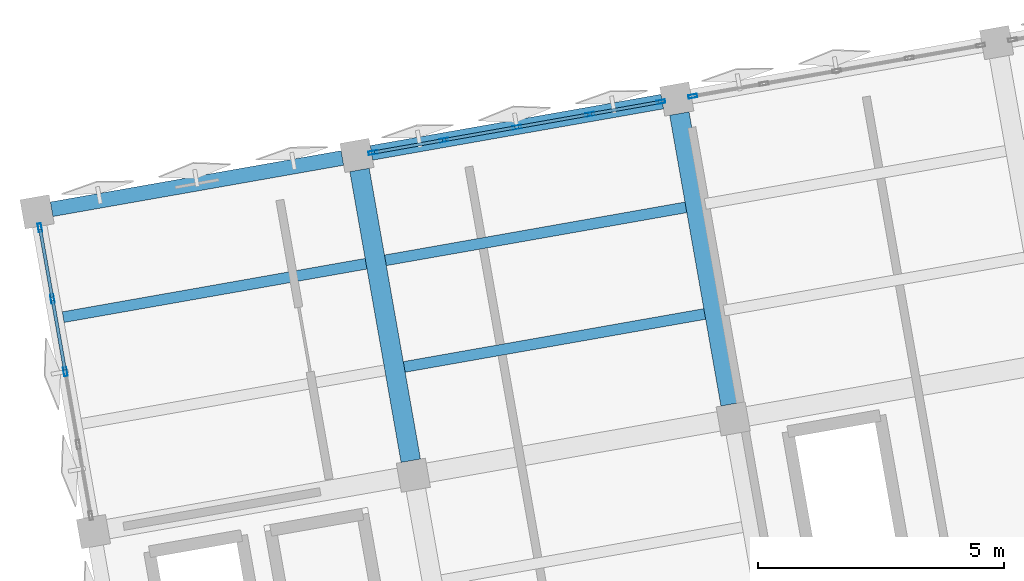
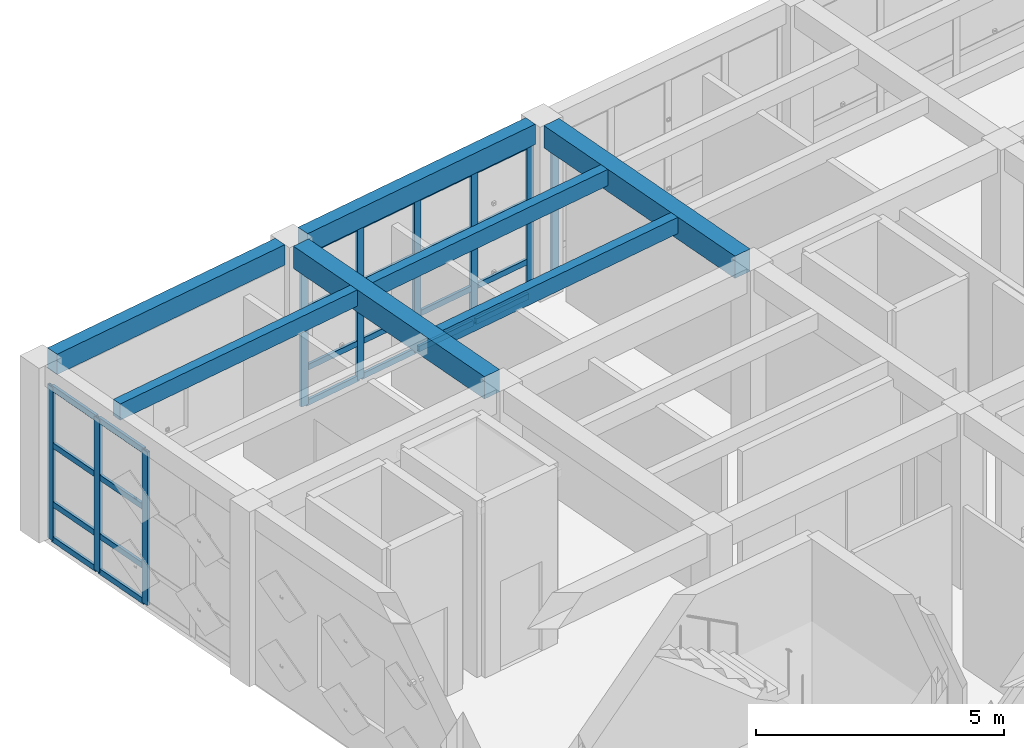
# One storey, part 6 of 29: 33 members, 7 beams, 3 elements without a shape of their own.
"""IFC4 building model written with IfcOpenShell, lengths in metres."""

from ifc_helpers import new_model, si_unit, direction, frame, origin, origin_2d, place, context, subcontext, project, spatial, rectangle, hollow_rectangle, extrude, material, layer, layer_set, material_profile, profile_set, type_object, element, aggregate, save


model = new_model("IFC4")

# Units and contexts
model_context = context("Model", 3, precision=1e-05, world=origin(), true_north=direction((0.0, 1.0)))
body_context = subcontext(model_context, "Body", "Model", "MODEL_VIEW")
ifc_project = project(units=[si_unit("LENGTHUNIT", "METRE"), si_unit("AREAUNIT", "SQUARE_METRE"), si_unit("VOLUMEUNIT", "CUBIC_METRE"), si_unit("PLANEANGLEUNIT", "RADIAN"), si_unit("MASSUNIT", "GRAM", prefix="KILO")], contexts=[model_context])

# Site, building, storey
site_placement = place(None, origin())
site = spatial("IfcSite", under=ifc_project, at=site_placement, CompositionType="ELEMENT")
building_placement = place(site_placement, origin())
building = spatial("IfcBuilding", under=site, at=building_placement, Name="Kharisveld Research Institute", CompositionType="ELEMENT")
storey_placement = place(building_placement, frame((0.0, 0.0, 32.10009765625)))
storey = spatial("IfcBuildingStorey", under=building, at=storey_placement, Name="L07", CompositionType="ELEMENT", Elevation=32.10009765625)

# Beams
ifc_material_1 = material(Name="Concrete C40/50", Category="concrete")
ifc_material_profile_1 = material_profile(ifc_material_1, rectangle(XDim=0.39990234375, YDim=0.550048828125, at=origin_2d()))
ifc_profile_set_1 = profile_set([ifc_material_profile_1], Name="Concrete C40/50")
beam_type_1 = type_object("IfcBeamType", Name="BM_RC_400x550", PredefinedType="BEAM", material=ifc_profile_set_1)
beam_1_placement = place(storey_placement, frame((9.35546875, 49.450927734375, 4.034912109375), z_axis=(-0.173662308598, 0.984805261243, 0.0), x_axis=(-0.984805261243, -0.173662308598, 0.0)))
element("IfcBeam", 1, at=beam_1_placement, inside=storey, type_object=beam_type_1, Name="BM:V1:L07:V1_2", PredefinedType="BEAM", context=body_context, shape_type="SweptSolid", body=[
    extrude(rectangle(XDim=0.39990234375, YDim=0.550048828125, at=origin_2d()), origin(), (0.0, 0.0, 1.0), 6.0),
])
beam_2_placement = place(storey_placement, frame((15.855224609375, 50.59716796875, 4.034912109375), z_axis=(-0.173669267716, 0.984804034035, 0.0), x_axis=(-0.984804034035, -0.173669267716, 0.0)))
element("IfcBeam", 2, at=beam_2_placement, inside=storey, type_object=beam_type_1, Name="BM:V1:L07:V2_2", PredefinedType="BEAM", context=body_context, shape_type="SweptSolid", body=[
    extrude(rectangle(XDim=0.39990234375, YDim=0.550048828125, at=origin_2d()), origin(), (0.0, 0.0, 1.0), 5.999755859375),
])

# Curtain wall, members
ifc_material_2 = material(Name="Thermally Broken Aluminium Curtain Wall", Category="aluminium")
ifc_layer_1 = layer(ifc_material_2, 0.159912109375)
ifc_layer_set_1 = layer_set([ifc_layer_1], Name="CW_SYS_02")
curtain_wall_type_1 = type_object("IfcCurtainWallType", Name="CW_SYS_02", PredefinedType="NOTDEFINED", material=ifc_layer_set_1)
curtain_wall_1_placement = place(storey_placement, origin())
curtain_wall_1 = element("IfcCurtainWall", 3, at=curtain_wall_1_placement, inside=storey, type_object=curtain_wall_type_1, Name="CW:V1:L07:W2", PredefinedType="NOTDEFINED")
ifc_material_3 = material(Name="Anodised Aluminium AW-6063-T6", Category="aluminium")
ifc_material_profile_2 = material_profile(ifc_material_3, hollow_rectangle(XDim=0.070068359375, YDim=0.179931640625, WallThickness=0.00439453125, at=origin_2d()))
ifc_profile_set_2 = profile_set([ifc_material_profile_2], Name="Anodised Aluminium AW-6063-T6")
member_type_1 = type_object("IfcMemberType", Name="CW_MUL_180", PredefinedType="MULLION", material=ifc_profile_set_2)
member_1_placement = place(storey_placement, frame((2.334716796875, 51.25927734375, 0.0), z_axis=(0.0, 0.0, 1.0), x_axis=(-0.98480774719, -0.173648210685, 0.0)))
member_1 = element("IfcMember", 4, at=member_1_placement, type_object=member_type_1, Name="CW-02 mullion 3", PredefinedType="MULLION", context=body_context, shape_type="SweptSolid", body=[
    extrude(hollow_rectangle(XDim=0.070068359375, YDim=0.179931640625, WallThickness=0.00439453125, at=origin_2d()), origin(), (0.0, 0.0, 1.0), 3.77978515625),
])
member_2_placement = place(storey_placement, frame((2.073974609375, 52.739013671875, 0.0), z_axis=(0.0, 0.0, 1.0), x_axis=(-0.98480774719, -0.173648210685, 0.0)))
member_2 = element("IfcMember", 5, at=member_2_placement, type_object=member_type_1, Name="CW-02 mullion 4", PredefinedType="MULLION", context=body_context, shape_type="SweptSolid", body=[
    extrude(hollow_rectangle(XDim=0.070068359375, YDim=0.179931640625, WallThickness=0.00439453125, at=origin_2d()), origin(), (0.0, 0.0, 1.0), 3.77978515625),
])
member_3_placement = place(storey_placement, frame((1.819091796875, 54.184326171875, 0.0), z_axis=(0.0, 0.0, 1.0), x_axis=(-0.98480774719, -0.173648210685, 0.0)))
member_3 = element("IfcMember", 6, at=member_3_placement, type_object=member_type_1, Name="CW-02 mullion 5", PredefinedType="MULLION", context=body_context, shape_type="SweptSolid", body=[
    extrude(hollow_rectangle(XDim=0.070068359375, YDim=0.179931640625, WallThickness=0.00439453125, at=origin_2d()), origin(), (0.0, 0.0, 1.0), 3.77978515625),
])

ifc_material_4 = material(Name="Thermally Broken Aluminium Curtain Wall", Category="aluminium")
ifc_layer_2 = layer(ifc_material_4, 0.159912109375)
ifc_layer_set_2 = layer_set([ifc_layer_2], Name="CW_SYS_03")
curtain_wall_type_2 = type_object("IfcCurtainWallType", Name="CW_SYS_03", PredefinedType="NOTDEFINED", material=ifc_layer_set_2)
curtain_wall_2_placement = place(storey_placement, origin())
curtain_wall_2 = element("IfcCurtainWall", 7, at=curtain_wall_2_placement, inside=storey, type_object=curtain_wall_type_2, Name="CW:V1:L07:N1", PredefinedType="NOTDEFINED")
member_4_placement = place(storey_placement, frame((8.58642578125, 55.712646484375, 0.0), z_axis=(0.0, 0.0, 1.0), x_axis=(-0.173648239132, 0.984807742174, 0.0)))
member_4 = element("IfcMember", 8, at=member_4_placement, type_object=member_type_1, Name="CW-03 mullion 1", PredefinedType="MULLION", context=body_context, shape_type="SweptSolid", body=[
    extrude(hollow_rectangle(XDim=0.070068359375, YDim=0.179931640625, WallThickness=0.00439453125, at=origin_2d()), origin(), (0.0, 0.0, 1.0), 3.77978515625),
])
member_5_placement = place(storey_placement, frame((10.03173828125, 55.96728515625, 0.0), z_axis=(0.0, 0.0, 1.0), x_axis=(-0.173648239132, 0.984807742174, 0.0)))
member_5 = element("IfcMember", 9, at=member_5_placement, type_object=member_type_1, Name="CW-03 mullion 2", PredefinedType="MULLION", context=body_context, shape_type="SweptSolid", body=[
    extrude(hollow_rectangle(XDim=0.070068359375, YDim=0.179931640625, WallThickness=0.00439453125, at=origin_2d()), origin(), (0.0, 0.0, 1.0), 3.77978515625),
])
member_6_placement = place(storey_placement, frame((11.511474609375, 56.228271484375, 0.0), z_axis=(0.0, 0.0, 1.0), x_axis=(-0.173648239132, 0.984807742174, 0.0)))
member_6 = element("IfcMember", 10, at=member_6_placement, type_object=member_type_1, Name="CW-03 mullion 3", PredefinedType="MULLION", context=body_context, shape_type="SweptSolid", body=[
    extrude(hollow_rectangle(XDim=0.070068359375, YDim=0.179931640625, WallThickness=0.00439453125, at=origin_2d()), origin(), (0.0, 0.0, 1.0), 3.77978515625),
])
member_7_placement = place(storey_placement, frame((12.990966796875, 56.4892578125, 0.0), z_axis=(0.0, 0.0, 1.0), x_axis=(-0.173648239132, 0.984807742174, 0.0)))
member_7 = element("IfcMember", 11, at=member_7_placement, type_object=member_type_1, Name="CW-03 mullion 4", PredefinedType="MULLION", context=body_context, shape_type="SweptSolid", body=[
    extrude(hollow_rectangle(XDim=0.070068359375, YDim=0.179931640625, WallThickness=0.00439453125, at=origin_2d()), origin(), (0.0, 0.0, 1.0), 3.77978515625),
])
member_8_placement = place(storey_placement, frame((14.436279296875, 56.744140625, 0.0), z_axis=(0.0, 0.0, 1.0), x_axis=(-0.173648239132, 0.984807742174, 0.0)))
member_8 = element("IfcMember", 12, at=member_8_placement, type_object=member_type_1, Name="CW-03 mullion 5", PredefinedType="MULLION", context=body_context, shape_type="SweptSolid", body=[
    extrude(hollow_rectangle(XDim=0.070068359375, YDim=0.179931640625, WallThickness=0.00439453125, at=origin_2d()), origin(), (0.0, 0.0, 1.0), 3.77978515625),
])

# Curtain wall, member
ifc_material_5 = material(Name="Thermally Broken Aluminium Curtain Wall", Category="aluminium")
ifc_layer_3 = layer(ifc_material_5, 0.159912109375)
ifc_layer_set_3 = layer_set([ifc_layer_3], Name="CW_SYS_04")
curtain_wall_type_3 = type_object("IfcCurtainWallType", Name="CW_SYS_04", PredefinedType="NOTDEFINED", material=ifc_layer_set_3)
curtain_wall_3_placement = place(storey_placement, origin())
curtain_wall_3 = element("IfcCurtainWall", 13, at=curtain_wall_3_placement, inside=storey, type_object=curtain_wall_type_3, Name="CW:V1:L07:N2", PredefinedType="NOTDEFINED")
member_9_placement = place(storey_placement, frame((15.086181640625, 56.858642578125, 0.0), z_axis=(0.0, 0.0, 1.0), x_axis=(-0.173648210685, 0.98480774719, 0.0)))
member_9 = element("IfcMember", 14, at=member_9_placement, type_object=member_type_1, Name="CW-04 mullion 1", PredefinedType="MULLION", context=body_context, shape_type="SweptSolid", body=[
    extrude(hollow_rectangle(XDim=0.070068359375, YDim=0.179931640625, WallThickness=0.00439453125, at=origin_2d()), origin(), (0.0, 0.0, 1.0), 3.77978515625),
])
aggregate(curtain_wall_3, [member_9])

# Member
ifc_material_6 = material(Name="Anodised Aluminium AW-6063-T6", Category="aluminium")
ifc_material_profile_3 = material_profile(ifc_material_6, hollow_rectangle(XDim=0.06494140625, YDim=0.139892578125, WallThickness=0.00390625, at=origin_2d()))
ifc_profile_set_3 = profile_set([ifc_material_profile_3], Name="Anodised Aluminium AW-6063-T6")
member_type_2 = type_object("IfcMemberType", Name="CW_TRN_140", PredefinedType="USERDEFINED", material=ifc_profile_set_3)
member_10_placement = place(storey_placement, frame((2.32861328125, 51.293701171875, 0.032470703125), z_axis=(-0.173483951704, 0.984836696362, 0.0), x_axis=(-0.984836696362, -0.173483951704, 0.0)))
member_10 = element("IfcMember", 15, at=member_10_placement, type_object=member_type_2, Name="CW-02 transom 3.1", ObjectType="TRANSOM", PredefinedType="USERDEFINED", context=body_context, shape_type="SweptSolid", body=[
    extrude(hollow_rectangle(XDim=0.06494140625, YDim=0.139892578125, WallThickness=0.00390625, at=origin_2d()), origin(), (0.0, 0.0, 1.0), 1.4326171875),
])

member_11_placement = place(storey_placement, frame((2.32861328125, 51.293701171875, 0.89990234375), z_axis=(-0.173483951704, 0.984836696362, 0.0), x_axis=(-0.984836696362, -0.173483951704, 0.0)))
member_11 = element("IfcMember", 16, at=member_11_placement, type_object=member_type_2, Name="CW-02 transom 3.2", ObjectType="TRANSOM", PredefinedType="USERDEFINED", context=body_context, shape_type="SweptSolid", body=[
    extrude(hollow_rectangle(XDim=0.06494140625, YDim=0.139892578125, WallThickness=0.00390625, at=origin_2d()), origin(), (0.0, 0.0, 1.0), 1.4326171875),
])

member_12_placement = place(storey_placement, frame((2.32861328125, 51.293701171875, 2.349853515625), z_axis=(-0.173483951704, 0.984836696362, 0.0), x_axis=(-0.984836696362, -0.173483951704, 0.0)))
member_12 = element("IfcMember", 17, at=member_12_placement, type_object=member_type_2, Name="CW-02 transom 3.3", ObjectType="TRANSOM", PredefinedType="USERDEFINED", context=body_context, shape_type="SweptSolid", body=[
    extrude(hollow_rectangle(XDim=0.06494140625, YDim=0.139892578125, WallThickness=0.00390625, at=origin_2d()), origin(), (0.0, 0.0, 1.0), 1.4326171875),
])

member_13_placement = place(storey_placement, frame((2.32861328125, 51.293701171875, 3.747314453125), z_axis=(-0.173483951704, 0.984836696362, 0.0), x_axis=(-0.984836696362, -0.173483951704, 0.0)))
member_13 = element("IfcMember", 18, at=member_13_placement, type_object=member_type_2, Name="CW-02 transom 3.4", ObjectType="TRANSOM", PredefinedType="USERDEFINED", context=body_context, shape_type="SweptSolid", body=[
    extrude(hollow_rectangle(XDim=0.06494140625, YDim=0.139892578125, WallThickness=0.00390625, at=origin_2d()), origin(), (0.0, 0.0, 1.0), 1.4326171875),
])

member_14_placement = place(storey_placement, frame((2.06787109375, 52.7734375, 0.032470703125), z_axis=(-0.173655770047, 0.984806414241, 0.0), x_axis=(-0.984806414241, -0.173655770047, 0.0)))
member_14 = element("IfcMember", 19, at=member_14_placement, type_object=member_type_2, Name="CW-02 transom 4.1", ObjectType="TRANSOM", PredefinedType="USERDEFINED", context=body_context, shape_type="SweptSolid", body=[
    extrude(hollow_rectangle(XDim=0.06494140625, YDim=0.139892578125, WallThickness=0.00390625, at=origin_2d()), origin(), (0.0, 0.0, 1.0), 1.3974609375),
])

member_15_placement = place(storey_placement, frame((2.06787109375, 52.7734375, 0.89990234375), z_axis=(-0.173655770047, 0.984806414241, 0.0), x_axis=(-0.984806414241, -0.173655770047, 0.0)))
member_15 = element("IfcMember", 20, at=member_15_placement, type_object=member_type_2, Name="CW-02 transom 4.2", ObjectType="TRANSOM", PredefinedType="USERDEFINED", context=body_context, shape_type="SweptSolid", body=[
    extrude(hollow_rectangle(XDim=0.06494140625, YDim=0.139892578125, WallThickness=0.00390625, at=origin_2d()), origin(), (0.0, 0.0, 1.0), 1.3974609375),
])

member_16_placement = place(storey_placement, frame((2.06787109375, 52.7734375, 2.349853515625), z_axis=(-0.173655770047, 0.984806414241, 0.0), x_axis=(-0.984806414241, -0.173655770047, 0.0)))
member_16 = element("IfcMember", 21, at=member_16_placement, type_object=member_type_2, Name="CW-02 transom 4.3", ObjectType="TRANSOM", PredefinedType="USERDEFINED", context=body_context, shape_type="SweptSolid", body=[
    extrude(hollow_rectangle(XDim=0.06494140625, YDim=0.139892578125, WallThickness=0.00390625, at=origin_2d()), origin(), (0.0, 0.0, 1.0), 1.3974609375),
])

member_17_placement = place(storey_placement, frame((2.06787109375, 52.7734375, 3.747314453125), z_axis=(-0.173655770047, 0.984806414241, 0.0), x_axis=(-0.984806414241, -0.173655770047, 0.0)))
member_17 = element("IfcMember", 22, at=member_17_placement, type_object=member_type_2, Name="CW-02 transom 4.4", ObjectType="TRANSOM", PredefinedType="USERDEFINED", context=body_context, shape_type="SweptSolid", body=[
    extrude(hollow_rectangle(XDim=0.06494140625, YDim=0.139892578125, WallThickness=0.00390625, at=origin_2d()), origin(), (0.0, 0.0, 1.0), 1.3974609375),
])

aggregate(curtain_wall_1, [member_1, member_2, member_3, member_10, member_11, member_12, member_13, member_14, member_15, member_16, member_17])

member_18_placement = place(storey_placement, frame((8.620849609375, 55.71875, 0.032470703125), z_axis=(0.984811681312, 0.173625897698, 0.0), x_axis=(-0.173625897698, 0.984811681312, 0.0)))
member_18 = element("IfcMember", 23, at=member_18_placement, type_object=member_type_2, Name="CW-03 transom 1.1", ObjectType="TRANSOM", PredefinedType="USERDEFINED", context=body_context, shape_type="SweptSolid", body=[
    extrude(hollow_rectangle(XDim=0.06494140625, YDim=0.139892578125, WallThickness=0.00390625, at=origin_2d()), origin(), (0.0, 0.0, 1.0), 1.397705078125),
])

member_19_placement = place(storey_placement, frame((8.620849609375, 55.71875, 0.89990234375), z_axis=(0.984811681312, 0.173625897698, 0.0), x_axis=(-0.173625897698, 0.984811681312, 0.0)))
member_19 = element("IfcMember", 24, at=member_19_placement, type_object=member_type_2, Name="CW-03 transom 1.2", ObjectType="TRANSOM", PredefinedType="USERDEFINED", context=body_context, shape_type="SweptSolid", body=[
    extrude(hollow_rectangle(XDim=0.06494140625, YDim=0.139892578125, WallThickness=0.00390625, at=origin_2d()), origin(), (0.0, 0.0, 1.0), 1.397705078125),
])

member_20_placement = place(storey_placement, frame((8.620849609375, 55.71875, 2.349853515625), z_axis=(0.984811681312, 0.173625897698, 0.0), x_axis=(-0.173625897698, 0.984811681312, 0.0)))
member_20 = element("IfcMember", 25, at=member_20_placement, type_object=member_type_2, Name="CW-03 transom 1.3", ObjectType="TRANSOM", PredefinedType="USERDEFINED", context=body_context, shape_type="SweptSolid", body=[
    extrude(hollow_rectangle(XDim=0.06494140625, YDim=0.139892578125, WallThickness=0.00390625, at=origin_2d()), origin(), (0.0, 0.0, 1.0), 1.397705078125),
])

member_21_placement = place(storey_placement, frame((8.620849609375, 55.71875, 3.747314453125), z_axis=(0.984811681312, 0.173625897698, 0.0), x_axis=(-0.173625897698, 0.984811681312, 0.0)))
member_21 = element("IfcMember", 26, at=member_21_placement, type_object=member_type_2, Name="CW-03 transom 1.4", ObjectType="TRANSOM", PredefinedType="USERDEFINED", context=body_context, shape_type="SweptSolid", body=[
    extrude(hollow_rectangle(XDim=0.06494140625, YDim=0.139892578125, WallThickness=0.00390625, at=origin_2d()), origin(), (0.0, 0.0, 1.0), 1.397705078125),
])

member_22_placement = place(storey_placement, frame((10.066162109375, 55.973388671875, 0.032470703125), z_axis=(0.98480242724, 0.173678378913, 0.0), x_axis=(-0.173678378913, 0.98480242724, 0.0)))
member_22 = element("IfcMember", 27, at=member_22_placement, type_object=member_type_2, Name="CW-03 transom 2.1", ObjectType="TRANSOM", PredefinedType="USERDEFINED", context=body_context, shape_type="SweptSolid", body=[
    extrude(hollow_rectangle(XDim=0.06494140625, YDim=0.139892578125, WallThickness=0.00390625, at=origin_2d()), origin(), (0.0, 0.0, 1.0), 1.432373046875),
])

member_23_placement = place(storey_placement, frame((10.066162109375, 55.973388671875, 0.89990234375), z_axis=(0.98480242724, 0.173678378913, 0.0), x_axis=(-0.173678378913, 0.98480242724, 0.0)))
member_23 = element("IfcMember", 28, at=member_23_placement, type_object=member_type_2, Name="CW-03 transom 2.2", ObjectType="TRANSOM", PredefinedType="USERDEFINED", context=body_context, shape_type="SweptSolid", body=[
    extrude(hollow_rectangle(XDim=0.06494140625, YDim=0.139892578125, WallThickness=0.00390625, at=origin_2d()), origin(), (0.0, 0.0, 1.0), 1.432373046875),
])

member_24_placement = place(storey_placement, frame((10.066162109375, 55.973388671875, 2.349853515625), z_axis=(0.98480242724, 0.173678378913, 0.0), x_axis=(-0.173678378913, 0.98480242724, 0.0)))
member_24 = element("IfcMember", 29, at=member_24_placement, type_object=member_type_2, Name="CW-03 transom 2.3", ObjectType="TRANSOM", PredefinedType="USERDEFINED", context=body_context, shape_type="SweptSolid", body=[
    extrude(hollow_rectangle(XDim=0.06494140625, YDim=0.139892578125, WallThickness=0.00390625, at=origin_2d()), origin(), (0.0, 0.0, 1.0), 1.432373046875),
])

member_25_placement = place(storey_placement, frame((10.066162109375, 55.973388671875, 3.747314453125), z_axis=(0.98480242724, 0.173678378913, 0.0), x_axis=(-0.173678378913, 0.98480242724, 0.0)))
member_25 = element("IfcMember", 30, at=member_25_placement, type_object=member_type_2, Name="CW-03 transom 2.4", ObjectType="TRANSOM", PredefinedType="USERDEFINED", context=body_context, shape_type="SweptSolid", body=[
    extrude(hollow_rectangle(XDim=0.06494140625, YDim=0.139892578125, WallThickness=0.00390625, at=origin_2d()), origin(), (0.0, 0.0, 1.0), 1.432373046875),
])

member_26_placement = place(storey_placement, frame((11.5458984375, 56.234375, 0.032470703125), z_axis=(0.98480242724, 0.173678378913, 0.0), x_axis=(-0.173678378913, 0.98480242724, 0.0)))
member_26 = element("IfcMember", 31, at=member_26_placement, type_object=member_type_2, Name="CW-03 transom 3.1", ObjectType="TRANSOM", PredefinedType="USERDEFINED", context=body_context, shape_type="SweptSolid", body=[
    extrude(hollow_rectangle(XDim=0.06494140625, YDim=0.139892578125, WallThickness=0.00390625, at=origin_2d()), origin(), (0.0, 0.0, 1.0), 1.432373046875),
])

member_27_placement = place(storey_placement, frame((11.5458984375, 56.234375, 0.89990234375), z_axis=(0.98480242724, 0.173678378913, 0.0), x_axis=(-0.173678378913, 0.98480242724, 0.0)))
member_27 = element("IfcMember", 32, at=member_27_placement, type_object=member_type_2, Name="CW-03 transom 3.2", ObjectType="TRANSOM", PredefinedType="USERDEFINED", context=body_context, shape_type="SweptSolid", body=[
    extrude(hollow_rectangle(XDim=0.06494140625, YDim=0.139892578125, WallThickness=0.00390625, at=origin_2d()), origin(), (0.0, 0.0, 1.0), 1.432373046875),
])

member_28_placement = place(storey_placement, frame((11.5458984375, 56.234375, 2.349853515625), z_axis=(0.98480242724, 0.173678378913, 0.0), x_axis=(-0.173678378913, 0.98480242724, 0.0)))
member_28 = element("IfcMember", 33, at=member_28_placement, type_object=member_type_2, Name="CW-03 transom 3.3", ObjectType="TRANSOM", PredefinedType="USERDEFINED", context=body_context, shape_type="SweptSolid", body=[
    extrude(hollow_rectangle(XDim=0.06494140625, YDim=0.139892578125, WallThickness=0.00390625, at=origin_2d()), origin(), (0.0, 0.0, 1.0), 1.432373046875),
])

member_29_placement = place(storey_placement, frame((11.5458984375, 56.234375, 3.747314453125), z_axis=(0.98480242724, 0.173678378913, 0.0), x_axis=(-0.173678378913, 0.98480242724, 0.0)))
member_29 = element("IfcMember", 34, at=member_29_placement, type_object=member_type_2, Name="CW-03 transom 3.4", ObjectType="TRANSOM", PredefinedType="USERDEFINED", context=body_context, shape_type="SweptSolid", body=[
    extrude(hollow_rectangle(XDim=0.06494140625, YDim=0.139892578125, WallThickness=0.00390625, at=origin_2d()), origin(), (0.0, 0.0, 1.0), 1.432373046875),
])

member_30_placement = place(storey_placement, frame((13.025390625, 56.495361328125, 0.032470703125), z_axis=(0.984811681312, 0.173625897698, 0.0), x_axis=(-0.173625897698, 0.984811681312, 0.0)))
member_30 = element("IfcMember", 35, at=member_30_placement, type_object=member_type_2, Name="CW-03 transom 4.1", ObjectType="TRANSOM", PredefinedType="USERDEFINED", context=body_context, shape_type="SweptSolid", body=[
    extrude(hollow_rectangle(XDim=0.06494140625, YDim=0.139892578125, WallThickness=0.00390625, at=origin_2d()), origin(), (0.0, 0.0, 1.0), 1.397705078125),
])

member_31_placement = place(storey_placement, frame((13.025390625, 56.495361328125, 0.89990234375), z_axis=(0.984811681312, 0.173625897698, 0.0), x_axis=(-0.173625897698, 0.984811681312, 0.0)))
member_31 = element("IfcMember", 36, at=member_31_placement, type_object=member_type_2, Name="CW-03 transom 4.2", ObjectType="TRANSOM", PredefinedType="USERDEFINED", context=body_context, shape_type="SweptSolid", body=[
    extrude(hollow_rectangle(XDim=0.06494140625, YDim=0.139892578125, WallThickness=0.00390625, at=origin_2d()), origin(), (0.0, 0.0, 1.0), 1.397705078125),
])

member_32_placement = place(storey_placement, frame((13.025390625, 56.495361328125, 2.349853515625), z_axis=(0.984811681312, 0.173625897698, 0.0), x_axis=(-0.173625897698, 0.984811681312, 0.0)))
member_32 = element("IfcMember", 37, at=member_32_placement, type_object=member_type_2, Name="CW-03 transom 4.3", ObjectType="TRANSOM", PredefinedType="USERDEFINED", context=body_context, shape_type="SweptSolid", body=[
    extrude(hollow_rectangle(XDim=0.06494140625, YDim=0.139892578125, WallThickness=0.00390625, at=origin_2d()), origin(), (0.0, 0.0, 1.0), 1.397705078125),
])

member_33_placement = place(storey_placement, frame((13.025390625, 56.495361328125, 3.747314453125), z_axis=(0.984811681312, 0.173625897698, 0.0), x_axis=(-0.173625897698, 0.984811681312, 0.0)))
member_33 = element("IfcMember", 38, at=member_33_placement, type_object=member_type_2, Name="CW-03 transom 4.4", ObjectType="TRANSOM", PredefinedType="USERDEFINED", context=body_context, shape_type="SweptSolid", body=[
    extrude(hollow_rectangle(XDim=0.06494140625, YDim=0.139892578125, WallThickness=0.00390625, at=origin_2d()), origin(), (0.0, 0.0, 1.0), 1.397705078125),
])

aggregate(curtain_wall_2, [member_4, member_5, member_6, member_7, member_8, member_18, member_19, member_20, member_21, member_22, member_23, member_24, member_25, member_26, member_27, member_28, member_29, member_30, member_31, member_32, member_33])

# Beams
ifc_material_7 = material(Name="Concrete C40/50", Category="concrete")
ifc_material_profile_4 = material_profile(ifc_material_7, rectangle(XDim=0.300048828125, YDim=0.5, at=origin_2d()))
ifc_profile_set_4 = profile_set([ifc_material_profile_4], Name="Concrete C40/50")
beam_type_2 = type_object("IfcBeamType", Name="SP_RC_300x500", PredefinedType="SPANDREL", material=ifc_profile_set_4)
for number, where, z_axis, x_axis, name in (
    (39, (2.05712890625, 54.561279296875, 4.059814453125), (0.984805261243, 0.173662308598, 0.0), (-0.173662308598, 0.984805261243, 0.0), "BM:V1:L07:U0_3"),
    (40, (8.556884765625, 55.707275390625, 4.059814453125), (0.984805261243, 0.173662308598, 0.0), (-0.173662308598, 0.984805261243, 0.0), "BM:V1:L07:U1_3"),
):
    element("IfcBeam", number, at=place(storey_placement, frame(where, z_axis=z_axis, x_axis=x_axis)), inside=storey, type_object=beam_type_2, Name=name, PredefinedType="SPANDREL", context=body_context, shape_type="SweptSolid", body=[
        extrude(rectangle(XDim=0.300048828125, YDim=0.5, at=origin_2d()), origin(), (0.0, 0.0, 1.0), 6.0),
    ])
ifc_material_8 = material(Name="Concrete C40/50", Category="concrete")
ifc_material_profile_5 = material_profile(ifc_material_8, rectangle(XDim=0.219970703125, YDim=0.39990234375, at=origin_2d()))
ifc_profile_set_5 = profile_set([ifc_material_profile_5], Name="Concrete C40/50")
beam_type_3 = type_object("IfcBeamType", Name="WB_RC_220x400", PredefinedType="JOIST", material=ifc_profile_set_5)
beam_3_placement = place(storey_placement, frame((2.29150390625, 52.36865234375, 4.10986328125), z_axis=(0.984810288083, 0.17363379995, 0.0), x_axis=(-0.17363379995, 0.984810288083, 0.0)))
element("IfcBeam", 41, at=beam_3_placement, inside=storey, type_object=beam_type_3, Name="BM:V1:L07:J_0_2_R2", PredefinedType="JOIST", context=body_context, shape_type="SweptSolid", body=[
    extrude(rectangle(XDim=0.219970703125, YDim=0.39990234375, at=origin_2d()), origin(), (0.0, 0.0, 1.0), 6.25),
])
beam_4_placement = place(storey_placement, frame((9.222412109375, 51.35693359375, 4.10986328125), z_axis=(0.984814067264, 0.173612363957, 0.0), x_axis=(-0.173612363957, 0.984814067264, 0.0)))
element("IfcBeam", 42, at=beam_4_placement, inside=storey, type_object=beam_type_3, Name="BM:V1:L07:J_1_2_R1", PredefinedType="JOIST", context=body_context, shape_type="SweptSolid", body=[
    extrude(rectangle(XDim=0.219970703125, YDim=0.39990234375, at=origin_2d()), origin(), (0.0, 0.0, 1.0), 6.2001953125),
])
beam_5_placement = place(storey_placement, frame((8.840576171875, 53.5234375, 4.10986328125), z_axis=(0.984806146634, 0.173657287643, 0.0), x_axis=(-0.173657287643, 0.984806146634, 0.0)))
element("IfcBeam", 43, at=beam_5_placement, inside=storey, type_object=beam_type_3, Name="BM:V1:L07:J_1_2_R2", PredefinedType="JOIST", context=body_context, shape_type="SweptSolid", body=[
    extrude(rectangle(XDim=0.219970703125, YDim=0.39990234375, at=origin_2d()), origin(), (0.0, 0.0, 1.0), 6.199951171875),
])

save(model, "model.ifc")
